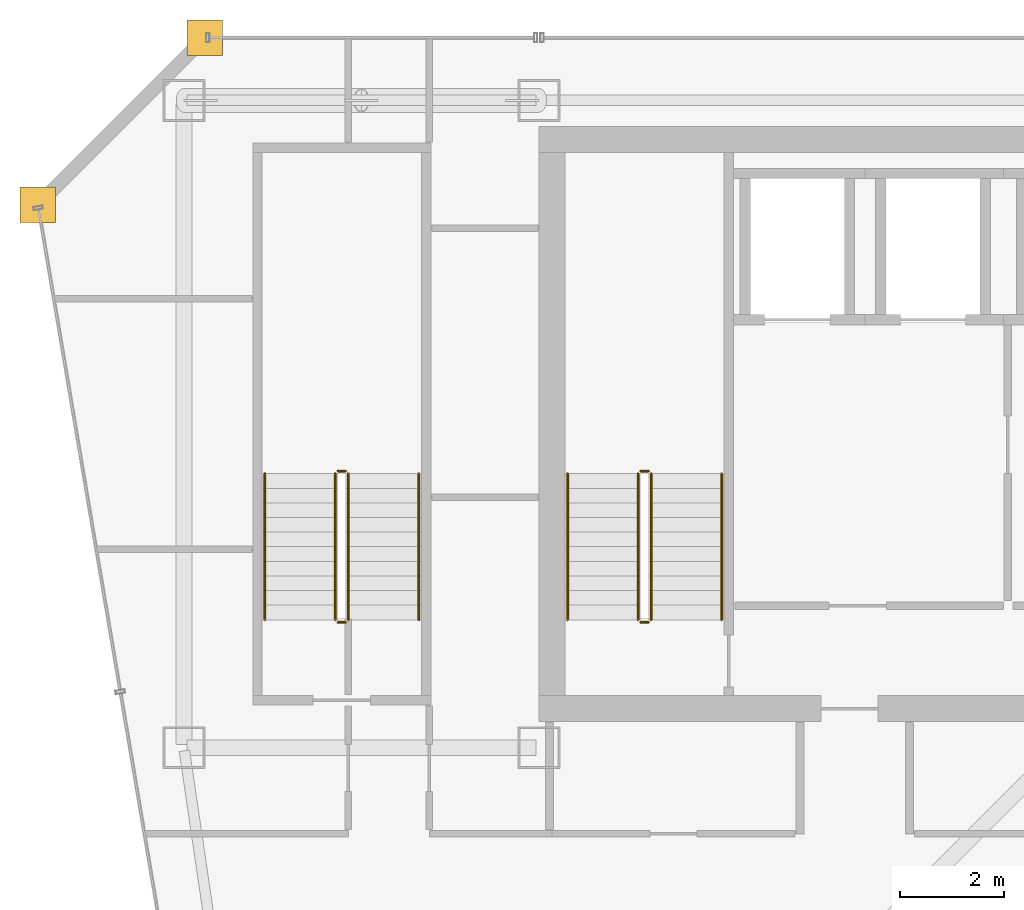
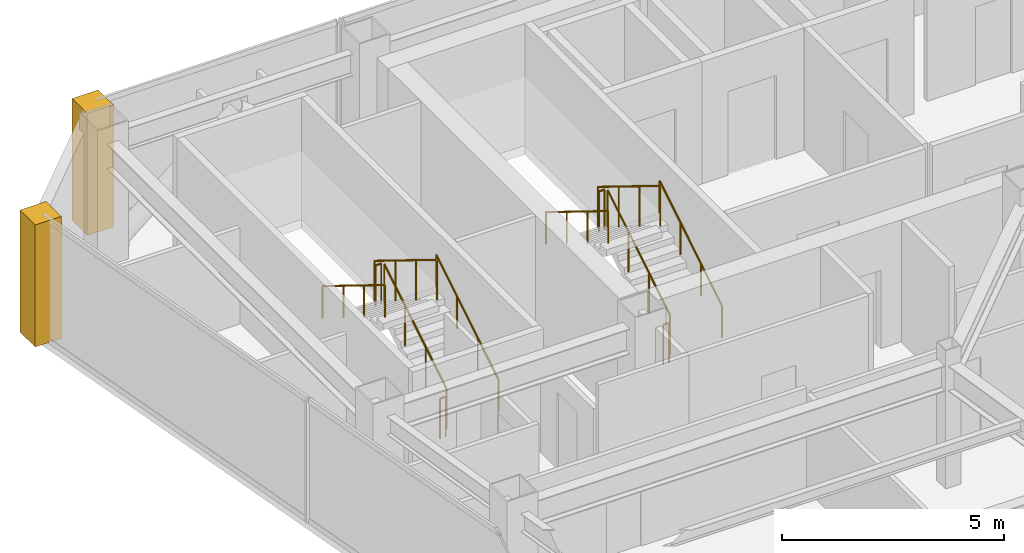
# One storey, part 33 of 34: 12 railings, 2 coverings.
"""IFC4 building model written with IfcOpenShell, lengths in metres."""

from ifc_helpers import new_model, si_unit, direction, frame, origin, origin_2d, place, context, subcontext, project, spatial, polyline, circle, outline, extrude, material, layer, layer_set, type_object, element, save


model = new_model("IFC4")

# Units and contexts
model_context = context("Model", 3, precision=1e-05, world=origin(), true_north=direction((0.0, 1.0)))
body_context = subcontext(model_context, "Body", "Model", "MODEL_VIEW")
ifc_project = project(units=[si_unit("LENGTHUNIT", "METRE"), si_unit("AREAUNIT", "SQUARE_METRE"), si_unit("VOLUMEUNIT", "CUBIC_METRE"), si_unit("PLANEANGLEUNIT", "RADIAN"), si_unit("MASSUNIT", "GRAM", prefix="KILO")], contexts=[model_context])

# Site, building, storey
site_placement = place(None, origin())
site = spatial("IfcSite", under=ifc_project, at=site_placement, CompositionType="ELEMENT")
building_placement = place(site_placement, origin())
building = spatial("IfcBuilding", under=site, at=building_placement, Name="Saevonmaru Cultural Tower", CompositionType="ELEMENT")
storey_placement = place(building_placement, frame((0.0, 0.0, 220.800048828125)))
storey = spatial("IfcBuildingStorey", under=building, at=storey_placement, Name="L51", CompositionType="ELEMENT", Elevation=220.800048828125)

# Coverings
ifc_material_1 = material(Name="Satin Bronze Anodised Aluminium", Category="aluminium")
ifc_layer = layer(ifc_material_1, 0.679931640625, Name="Satin Bronze Anodised Aluminium")
ifc_layer_set = layer_set([ifc_layer], Name="Satin Bronze Anodised Aluminium")
covering_type = type_object("IfcCoveringType", Name="CV-CORNER-CLAD", PredefinedType="CLADDING", material=ifc_layer_set)
covering_1_placement = place(storey_placement, origin())
element("IfcCovering", 1, at=covering_1_placement, inside=storey, type_object=covering_type, Name="L51 Tower Bronze Corner Cladding Pier 11", PredefinedType="CLADDING", context=body_context, shape_type="SweptSolid", body=[
    extrude(outline(polyline([(6.860107421875, 55.659912109375), (7.5400390625, 55.659912109375), (7.5400390625, 56.340087890625), (6.860107421875, 56.340087890625), (6.860107421875, 55.659912109375)])), origin(), (0.0, 0.0, 1.0), 3.349853515625),
])
covering_2_placement = place(storey_placement, origin())
element("IfcCovering", 2, at=covering_2_placement, inside=storey, type_object=covering_type, Name="L51 Tower Bronze Corner Cladding Pier 12", PredefinedType="CLADDING", context=body_context, shape_type="SweptSolid", body=[
    extrude(outline(polyline([(3.659912109375, 52.4599609375), (4.340087890625, 52.4599609375), (4.340087890625, 53.139892578125), (3.659912109375, 53.139892578125), (3.659912109375, 52.4599609375)])), origin(), (0.0, 0.0, 1.0), 3.349853515625),
])

# Railings
ifc_material_2 = material(Name="Architectural Painted Steel", Category="steel")
railing_type_1 = type_object("IfcRailingType", Name="RL-STAIR-GUARD", PredefinedType="GUARDRAIL", material=ifc_material_2)
railing_1_placement = place(storey_placement, frame((15.75, 44.85009765625, 0.172607421875)))
element("IfcRailing", 3, at=railing_1_placement, inside=storey, type_object=railing_type_1, Name="L51 ST-1 stair guard 1", PredefinedType="GUARDRAIL", context=body_context, shape_type="SweptSolid", body=[
    extrude(circle(Radius=0.02392578125, at=origin_2d()), frame((0.0, 0.0, 1.09619140625), z_axis=(0.0, 0.851069175582, 0.525053576669), x_axis=(-1.0, 0.0, 0.0)), (0.0, 0.0, 1.0), 3.289794921875),
    extrude(circle(Radius=0.02099609375, at=origin_2d()), origin(), (0.0, 0.0, 1.0), 1.072021484375),
    extrude(circle(Radius=0.02099609375, at=origin_2d()), frame((0.0, 0.933349609375, 0.57568359375)), (0.0, 0.0, 1.0), 1.072021484375),
    extrude(circle(Radius=0.02099609375, at=origin_2d()), frame((0.0, 1.866455078125, 1.151611328125)), (0.0, 0.0, 1.0), 1.072021484375),
    extrude(circle(Radius=0.02099609375, at=origin_2d()), frame((0.0, 2.7998046875, 1.727294921875)), (0.0, 0.0, 1.0), 1.072021484375),
])
railing_2_placement = place(storey_placement, frame((15.699951171875, 47.699951171875, 1.89990234375)))
element("IfcRailing", 4, at=railing_2_placement, inside=storey, type_object=railing_type_1, Name="L51 ST-1 stair guard 2", PredefinedType="GUARDRAIL", context=body_context, shape_type="SweptSolid", body=[
    extrude(circle(Radius=0.02392578125, at=origin_2d()), frame((0.0, 0.0, 1.09619140625), z_axis=(-1.0, 0.0, 0.0), x_axis=(0.0, -1.0, 0.0)), (0.0, 0.0, 1.0), 0.14990234375),
    extrude(circle(Radius=0.02099609375, at=origin_2d()), origin(), (0.0, 0.0, 1.0), 1.072021484375),
    extrude(circle(Radius=0.02099609375, at=origin_2d()), frame((-0.14990234375, 0.0, 0.0)), (0.0, 0.0, 1.0), 1.072021484375),
])
railing_3_placement = place(storey_placement, frame((15.5, 47.64990234375, 2.07275390625)))
element("IfcRailing", 5, at=railing_3_placement, inside=storey, type_object=railing_type_1, Name="L51 ST-1 stair guard 3", PredefinedType="GUARDRAIL", context=body_context, shape_type="SweptSolid", body=[
    extrude(circle(Radius=0.02392578125, at=origin_2d()), frame((0.0, 0.0, 1.09619140625), z_axis=(0.0, -0.851069175582, 0.525053576669), x_axis=(1.0, 0.0, 0.0)), (0.0, 0.0, 1.0), 3.289794921875),
    extrude(circle(Radius=0.02099609375, at=origin_2d()), origin(), (0.0, 0.0, 1.0), 1.072021484375),
    extrude(circle(Radius=0.02099609375, at=origin_2d()), frame((0.0, -0.933349609375, 0.57568359375)), (0.0, 0.0, 1.0), 1.072021484375),
    extrude(circle(Radius=0.02099609375, at=origin_2d()), frame((0.0, -1.866455078125, 1.151611328125)), (0.0, 0.0, 1.0), 1.072021484375),
    extrude(circle(Radius=0.02099609375, at=origin_2d()), frame((0.0, -2.7998046875, 1.727294921875)), (0.0, 0.0, 1.0), 1.072021484375),
])
railing_4_placement = place(storey_placement, frame((15.699951171875, 44.800048828125, 0.0)))
element("IfcRailing", 6, at=railing_4_placement, inside=storey, type_object=railing_type_1, Name="L51 ST-1 stair guard 4", PredefinedType="GUARDRAIL", context=body_context, shape_type="SweptSolid", body=[
    extrude(circle(Radius=0.02392578125, at=origin_2d()), frame((0.0, 0.0, 1.09619140625), z_axis=(-1.0, 0.0, 0.0), x_axis=(0.0, -1.0, 0.0)), (0.0, 0.0, 1.0), 0.14990234375),
    extrude(circle(Radius=0.02099609375, at=origin_2d()), origin(), (0.0, 0.0, 1.0), 1.072021484375),
    extrude(circle(Radius=0.02099609375, at=origin_2d()), frame((-0.14990234375, 0.0, 0.0)), (0.0, 0.0, 1.0), 1.072021484375),
])
railing_5_placement = place(storey_placement, frame((9.949951171875, 44.85009765625, 0.172607421875)))
element("IfcRailing", 7, at=railing_5_placement, inside=storey, type_object=railing_type_1, Name="L51 ST-3 stair guard 1", PredefinedType="GUARDRAIL", context=body_context, shape_type="SweptSolid", body=[
    extrude(circle(Radius=0.02392578125, at=origin_2d()), frame((0.0, 0.0, 1.09619140625), z_axis=(0.0, 0.851069175582, 0.525053576669), x_axis=(-1.0, 0.0, 0.0)), (0.0, 0.0, 1.0), 3.289794921875),
    extrude(circle(Radius=0.02099609375, at=origin_2d()), origin(), (0.0, 0.0, 1.0), 1.072021484375),
    extrude(circle(Radius=0.02099609375, at=origin_2d()), frame((0.0, 0.933349609375, 0.57568359375)), (0.0, 0.0, 1.0), 1.072021484375),
    extrude(circle(Radius=0.02099609375, at=origin_2d()), frame((0.0, 1.866455078125, 1.151611328125)), (0.0, 0.0, 1.0), 1.072021484375),
    extrude(circle(Radius=0.02099609375, at=origin_2d()), frame((0.0, 2.7998046875, 1.727294921875)), (0.0, 0.0, 1.0), 1.072021484375),
])
railing_6_placement = place(storey_placement, frame((9.89990234375, 47.699951171875, 1.89990234375)))
element("IfcRailing", 8, at=railing_6_placement, inside=storey, type_object=railing_type_1, Name="L51 ST-3 stair guard 2", PredefinedType="GUARDRAIL", context=body_context, shape_type="SweptSolid", body=[
    extrude(circle(Radius=0.02392578125, at=origin_2d()), frame((0.0, 0.0, 1.09619140625), z_axis=(-1.0, 0.0, 0.0), x_axis=(0.0, -1.0, 0.0)), (0.0, 0.0, 1.0), 0.14990234375),
    extrude(circle(Radius=0.02099609375, at=origin_2d()), origin(), (0.0, 0.0, 1.0), 1.072021484375),
    extrude(circle(Radius=0.02099609375, at=origin_2d()), frame((-0.14990234375, 0.0, 0.0)), (0.0, 0.0, 1.0), 1.072021484375),
])
railing_7_placement = place(storey_placement, frame((9.699951171875, 47.64990234375, 2.07275390625)))
element("IfcRailing", 9, at=railing_7_placement, inside=storey, type_object=railing_type_1, Name="L51 ST-3 stair guard 3", PredefinedType="GUARDRAIL", context=body_context, shape_type="SweptSolid", body=[
    extrude(circle(Radius=0.02392578125, at=origin_2d()), frame((0.0, 0.0, 1.09619140625), z_axis=(0.0, -0.851069175582, 0.525053576669), x_axis=(1.0, 0.0, 0.0)), (0.0, 0.0, 1.0), 3.289794921875),
    extrude(circle(Radius=0.02099609375, at=origin_2d()), origin(), (0.0, 0.0, 1.0), 1.072021484375),
    extrude(circle(Radius=0.02099609375, at=origin_2d()), frame((0.0, -0.933349609375, 0.57568359375)), (0.0, 0.0, 1.0), 1.072021484375),
    extrude(circle(Radius=0.02099609375, at=origin_2d()), frame((0.0, -1.866455078125, 1.151611328125)), (0.0, 0.0, 1.0), 1.072021484375),
    extrude(circle(Radius=0.02099609375, at=origin_2d()), frame((0.0, -2.7998046875, 1.727294921875)), (0.0, 0.0, 1.0), 1.072021484375),
])
railing_8_placement = place(storey_placement, frame((9.89990234375, 44.800048828125, 0.0)))
element("IfcRailing", 10, at=railing_8_placement, inside=storey, type_object=railing_type_1, Name="L51 ST-3 stair guard 4", PredefinedType="GUARDRAIL", context=body_context, shape_type="SweptSolid", body=[
    extrude(circle(Radius=0.02392578125, at=origin_2d()), frame((0.0, 0.0, 1.09619140625), z_axis=(-1.0, 0.0, 0.0), x_axis=(0.0, -1.0, 0.0)), (0.0, 0.0, 1.0), 0.14990234375),
    extrude(circle(Radius=0.02099609375, at=origin_2d()), origin(), (0.0, 0.0, 1.0), 1.072021484375),
    extrude(circle(Radius=0.02099609375, at=origin_2d()), frame((-0.14990234375, 0.0, 0.0)), (0.0, 0.0, 1.0), 1.072021484375),
])
railing_type_2 = type_object("IfcRailingType", Name="RL-STAIR-HANDRAIL", PredefinedType="HANDRAIL", material=ifc_material_1)
railing_9_placement = place(storey_placement, frame((17.10009765625, 44.85009765625, 0.172607421875)))
element("IfcRailing", 11, at=railing_9_placement, inside=storey, type_object=railing_type_2, Name="L51 ST-1 stair handrail 1", PredefinedType="HANDRAIL", context=body_context, shape_type="SweptSolid", body=[
    extrude(circle(Radius=0.02392578125, at=origin_2d()), frame((0.0, 0.0, 0.8759765625), z_axis=(0.0, 0.851069175582, 0.525053576669), x_axis=(-1.0, 0.0, 0.0)), (0.0, 0.0, 1.0), 3.289794921875),
    extrude(circle(Radius=0.02099609375, at=origin_2d()), origin(), (0.0, 0.0, 1.0), 0.851806640625),
    extrude(circle(Radius=0.02099609375, at=origin_2d()), frame((0.0, 0.933349609375, 0.57568359375)), (0.0, 0.0, 1.0), 0.851806640625),
    extrude(circle(Radius=0.02099609375, at=origin_2d()), frame((0.0, 1.866455078125, 1.151611328125)), (0.0, 0.0, 1.0), 0.851806640625),
    extrude(circle(Radius=0.02099609375, at=origin_2d()), frame((0.0, 2.7998046875, 1.727294921875)), (0.0, 0.0, 1.0), 0.851806640625),
])
railing_10_placement = place(storey_placement, frame((14.14990234375, 47.64990234375, 2.07275390625)))
element("IfcRailing", 12, at=railing_10_placement, inside=storey, type_object=railing_type_2, Name="L51 ST-1 stair handrail 2", PredefinedType="HANDRAIL", context=body_context, shape_type="SweptSolid", body=[
    extrude(circle(Radius=0.02392578125, at=origin_2d()), frame((0.0, 0.0, 0.8759765625), z_axis=(0.0, -0.851069175582, 0.525053576669), x_axis=(1.0, 0.0, 0.0)), (0.0, 0.0, 1.0), 3.289794921875),
    extrude(circle(Radius=0.02099609375, at=origin_2d()), origin(), (0.0, 0.0, 1.0), 0.851806640625),
    extrude(circle(Radius=0.02099609375, at=origin_2d()), frame((0.0, -0.933349609375, 0.57568359375)), (0.0, 0.0, 1.0), 0.851806640625),
    extrude(circle(Radius=0.02099609375, at=origin_2d()), frame((0.0, -1.866455078125, 1.151611328125)), (0.0, 0.0, 1.0), 0.851806640625),
    extrude(circle(Radius=0.02099609375, at=origin_2d()), frame((0.0, -2.7998046875, 1.727294921875)), (0.0, 0.0, 1.0), 0.851806640625),
])
railing_11_placement = place(storey_placement, frame((11.300048828125, 44.85009765625, 0.172607421875)))
element("IfcRailing", 13, at=railing_11_placement, inside=storey, type_object=railing_type_2, Name="L51 ST-3 stair handrail 1", PredefinedType="HANDRAIL", context=body_context, shape_type="SweptSolid", body=[
    extrude(circle(Radius=0.02392578125, at=origin_2d()), frame((0.0, 0.0, 0.8759765625), z_axis=(0.0, 0.851069175582, 0.525053576669), x_axis=(-1.0, 0.0, 0.0)), (0.0, 0.0, 1.0), 3.289794921875),
    extrude(circle(Radius=0.02099609375, at=origin_2d()), origin(), (0.0, 0.0, 1.0), 0.851806640625),
    extrude(circle(Radius=0.02099609375, at=origin_2d()), frame((0.0, 0.933349609375, 0.57568359375)), (0.0, 0.0, 1.0), 0.851806640625),
    extrude(circle(Radius=0.02099609375, at=origin_2d()), frame((0.0, 1.866455078125, 1.151611328125)), (0.0, 0.0, 1.0), 0.851806640625),
    extrude(circle(Radius=0.02099609375, at=origin_2d()), frame((0.0, 2.7998046875, 1.727294921875)), (0.0, 0.0, 1.0), 0.851806640625),
])
railing_12_placement = place(storey_placement, frame((8.35009765625, 47.64990234375, 2.07275390625)))
element("IfcRailing", 14, at=railing_12_placement, inside=storey, type_object=railing_type_2, Name="L51 ST-3 stair handrail 2", PredefinedType="HANDRAIL", context=body_context, shape_type="SweptSolid", body=[
    extrude(circle(Radius=0.02392578125, at=origin_2d()), frame((0.0, 0.0, 0.8759765625), z_axis=(0.0, -0.851069175582, 0.525053576669), x_axis=(1.0, 0.0, 0.0)), (0.0, 0.0, 1.0), 3.289794921875),
    extrude(circle(Radius=0.02099609375, at=origin_2d()), origin(), (0.0, 0.0, 1.0), 0.851806640625),
    extrude(circle(Radius=0.02099609375, at=origin_2d()), frame((0.0, -0.933349609375, 0.57568359375)), (0.0, 0.0, 1.0), 0.851806640625),
    extrude(circle(Radius=0.02099609375, at=origin_2d()), frame((0.0, -1.866455078125, 1.151611328125)), (0.0, 0.0, 1.0), 0.851806640625),
    extrude(circle(Radius=0.02099609375, at=origin_2d()), frame((0.0, -2.7998046875, 1.727294921875)), (0.0, 0.0, 1.0), 0.851806640625),
])

save(model, "model.ifc")
